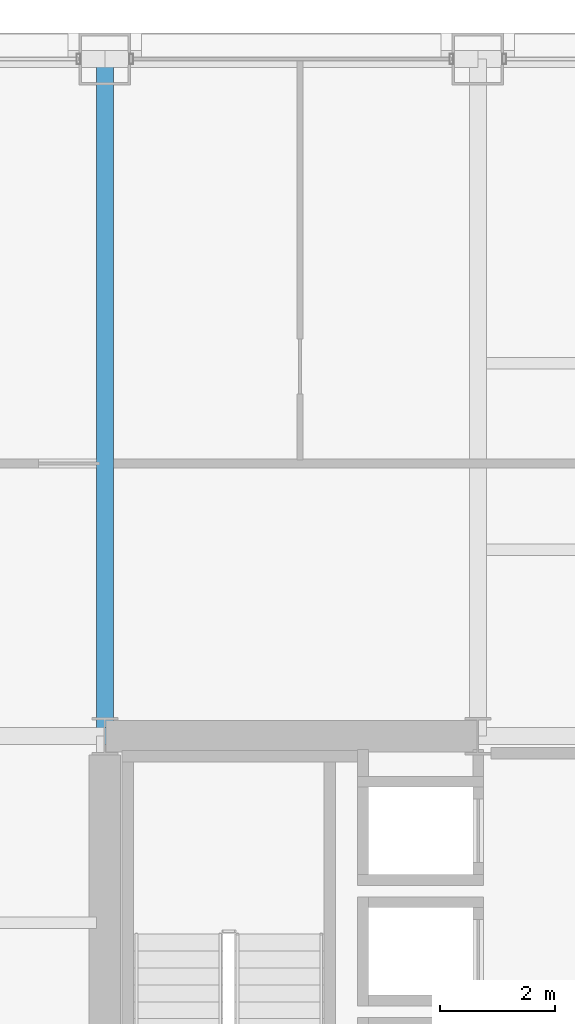
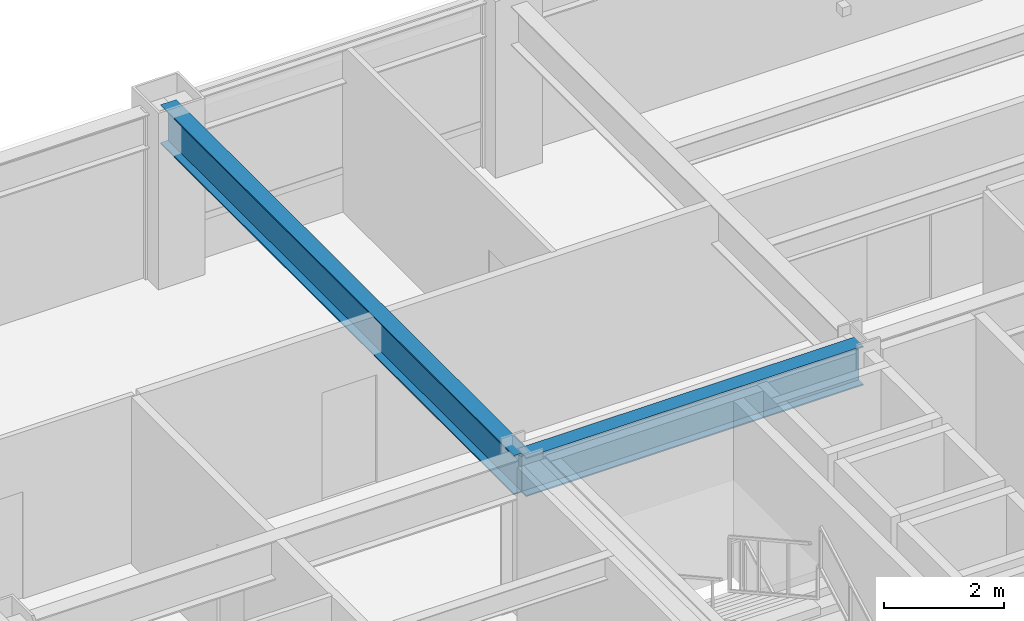
# One storey, part 17 of 29: 2 beams.
"""IFC4 building model written with IfcOpenShell, lengths in metres."""

from ifc_helpers import new_model, si_unit, direction, frame, origin, origin_2d, place, context, subcontext, project, spatial, i_section, extrude, material, material_profile, profile_set, type_object, element, save


model = new_model("IFC4")

# Units and contexts
model_context = context("Model", 3, precision=1e-05, world=origin(), true_north=direction((0.0, 1.0)))
body_context = subcontext(model_context, "Body", "Model", "MODEL_VIEW")
ifc_project = project(units=[si_unit("LENGTHUNIT", "METRE"), si_unit("AREAUNIT", "SQUARE_METRE"), si_unit("VOLUMEUNIT", "CUBIC_METRE"), si_unit("PLANEANGLEUNIT", "RADIAN"), si_unit("MASSUNIT", "GRAM", prefix="KILO")], contexts=[model_context])

# Site, building, storey
site_placement = place(None, origin())
site = spatial("IfcSite", under=ifc_project, at=site_placement, CompositionType="ELEMENT")
building_placement = place(site_placement, origin())
building = spatial("IfcBuilding", under=site, at=building_placement, Name="Brelmoor Portico Tower", CompositionType="ELEMENT")
storey_placement = place(building_placement, frame((0.0, 0.0, 52.800048828125)))
storey = spatial("IfcBuildingStorey", under=building, at=storey_placement, Name="L13", CompositionType="ELEMENT", Elevation=52.800048828125)

# Beams
ifc_material = material(Name="Steel Q355B", Category="steel")
ifc_material_profile = material_profile(ifc_material, i_section(OverallWidth=0.300048828125, OverallDepth=0.800048828125, WebThickness=0.013916015625, FlangeThickness=0.02587890625, at=origin_2d()), Name="HN 800x300x14x26")
ifc_profile_set = profile_set([ifc_material_profile], Name="Steel Q355B")
beam_type = type_object("IfcBeamType", Name="BM-PG-800", PredefinedType="BEAM", material=ifc_profile_set)
beam_1_placement = place(storey_placement, frame((-14.550048828125, 9.75, 3.0), z_axis=(0.0, 1.0, 0.0), x_axis=(-1.0, 0.0, 0.0)))
element("IfcBeam", 1, at=beam_1_placement, inside=storey, type_object=beam_type, Name="L13 Primary Floor Girder PG-06", PredefinedType="BEAM", context=body_context, shape_type="SweptSolid", body=[
    extrude(i_section(OverallWidth=0.300048828125, OverallDepth=0.800048828125, WebThickness=0.013916015625, FlangeThickness=0.02587890625, at=origin_2d()), origin(), (0.0, 0.0, 1.0), 11.800048828125),
])
beam_2_placement = place(storey_placement, frame((-14.550048828125, 9.75, 3.0), z_axis=(1.0, 0.0, 0.0), x_axis=(0.0, 1.0, 0.0)))
element("IfcBeam", 2, at=beam_2_placement, inside=storey, type_object=beam_type, Name="L13 Primary Floor Girder PG-28", PredefinedType="BEAM", context=body_context, shape_type="SweptSolid", body=[
    extrude(i_section(OverallWidth=0.300048828125, OverallDepth=0.800048828125, WebThickness=0.013916015625, FlangeThickness=0.02587890625, at=origin_2d()), origin(), (0.0, 0.0, 1.0), 6.5),
])

save(model, "model.ifc")
